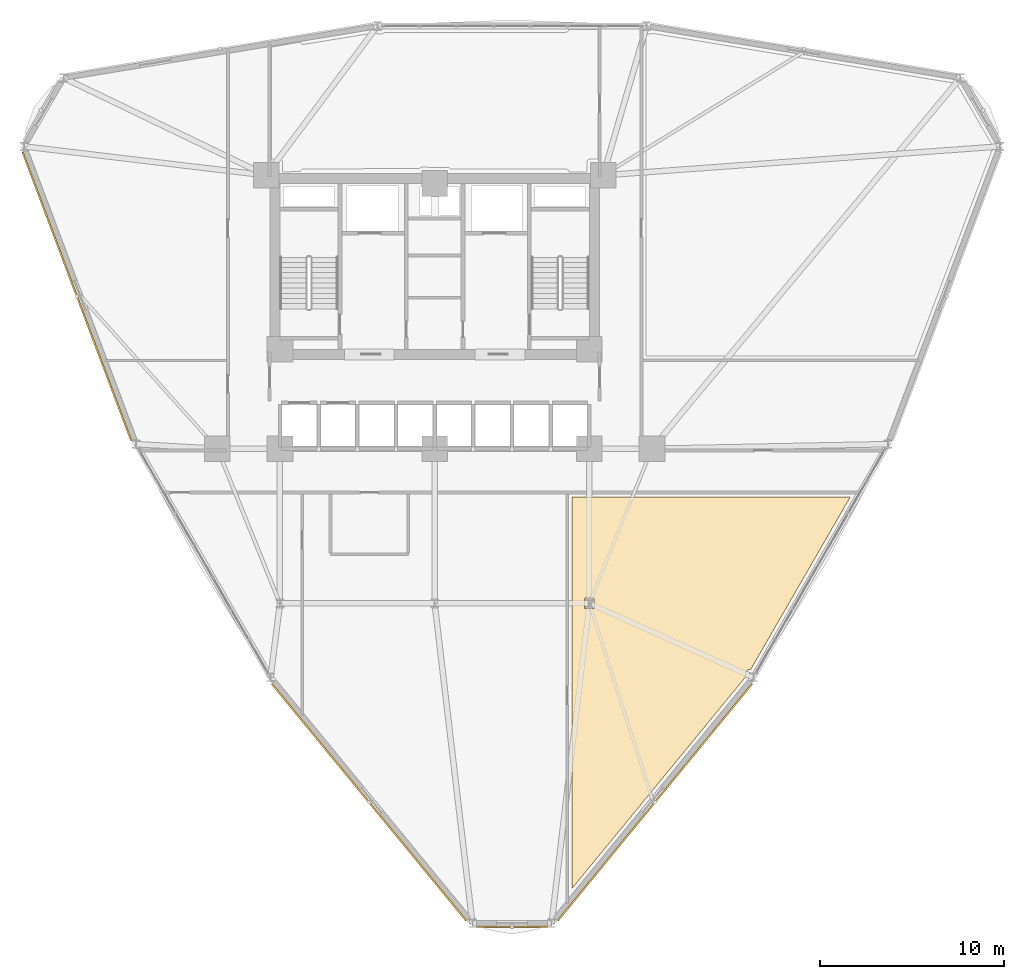
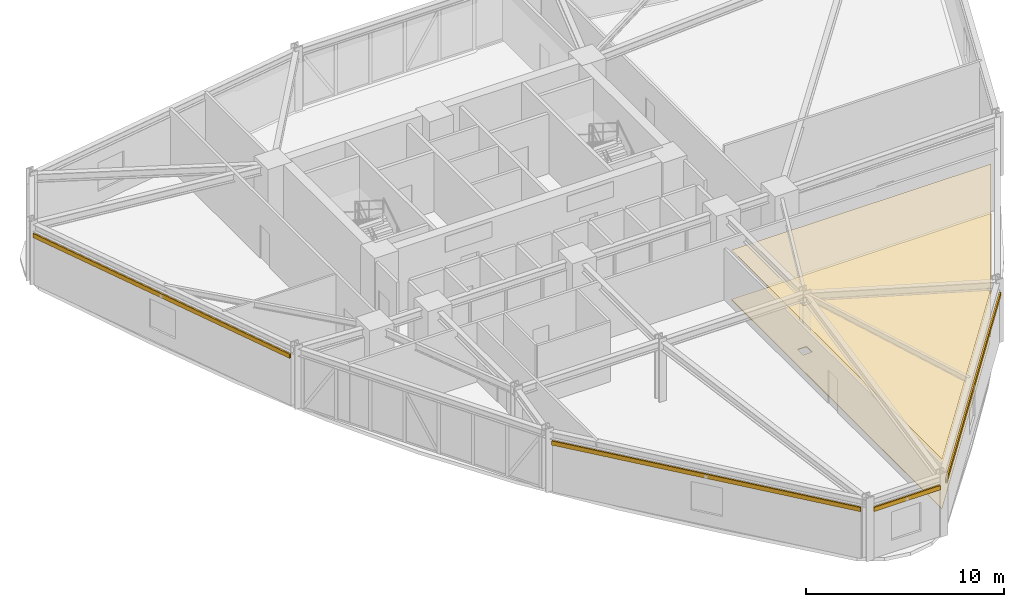
# One storey, part 18 of 20: 4 shading devices, 2 coverings.
"""IFC4 building model written with IfcOpenShell, lengths in metres."""

from ifc_helpers import new_model, si_unit, derived_unit, direction, frame, origin, origin_2d, place, context, subcontext, project, spatial, polyline, hollow_rectangle, outline, extrude, source, transform, mapped, material, layer, layer_set, material_profile, profile_set, type_object, element, save


model = new_model("IFC4")

# Units and contexts
model_context = context("Model", 3, precision=1e-05, world=origin(), true_north=direction((0.0, 1.0)))
body_context = subcontext(model_context, "Body", "Model", "MODEL_VIEW")
ifc_project = project(units=[si_unit("LENGTHUNIT", "METRE"), si_unit("AREAUNIT", "SQUARE_METRE"), si_unit("VOLUMEUNIT", "CUBIC_METRE"), si_unit("PLANEANGLEUNIT", "RADIAN"), si_unit("MASSUNIT", "GRAM", prefix="KILO"), derived_unit("THERMALTRANSMITTANCEUNIT", [(si_unit("POWERUNIT", "WATT"), 1), (si_unit("LENGTHUNIT", "METRE"), -2), (si_unit("THERMODYNAMICTEMPERATUREUNIT", "KELVIN"), -1)])], contexts=[model_context])

# Site, building, storey
site_placement = place(None, origin())
site = spatial("IfcSite", under=ifc_project, at=site_placement, CompositionType="ELEMENT")
building_placement = place(site_placement, origin())
building = spatial("IfcBuilding", under=site, at=building_placement, Name="Korsvarv Bourse and Concert Hall", CompositionType="ELEMENT")
storey_placement = place(building_placement, frame((0.0, 0.0, 87.300048828125)))
storey = spatial("IfcBuildingStorey", under=building, at=storey_placement, Name="L21", CompositionType="ELEMENT", Elevation=87.300048828125)

# Coverings
ifc_material_1 = material(Name="Perforated mineral-wool and birch acoustic baffle ceiling", Category="wood")
ifc_layer_1 = layer(ifc_material_1, 0.02490234375)
ifc_layer_set_1 = layer_set([ifc_layer_1], Name="Perforated mineral-wool and birch acoustic baffle ceiling")
covering_type_1 = type_object("IfcCoveringType", Name="COV-CEIL-1", PredefinedType="CEILING", material=ifc_layer_set_1)
covering_1_placement = place(storey_placement, frame((0.0, 0.0, 3.06005859375)))
element("IfcCovering", 1, at=covering_1_placement, inside=storey, type_object=covering_type_1, Name="L21 acoustic baffle ceiling 2", PredefinedType="CEILING", context=body_context, shape_type="SweptSolid", body=[
    extrude(outline(polyline([(53.097900390625, 20.418212890625), (53.063720703125, 20.4150390625), (53.030517578125, 20.4052734375), (53.0, 20.389404296875), (52.972900390625, 20.367919921875), (52.95068359375, 20.341796875), (52.93359375, 20.31201171875), (52.922607421875, 20.279296875), (52.91796875, 20.2451171875), (52.910400390625, 20.040283203125), (43.449951171875, 8.51220703125), (43.449951171875, 29.77001953125), (58.56298828125, 29.77001953125), (53.163818359375, 20.418212890625), (53.097900390625, 20.418212890625)]), holes=[polyline([(44.173583984375, 23.715087890625), (44.612060546875, 23.712890625), (44.635498046875, 23.718994140625), (44.653564453125, 23.735107421875), (44.661865234375, 23.758056640625), (44.662109375, 24.237060546875), (44.656005859375, 24.260498046875), (44.639892578125, 24.278564453125), (44.616943359375, 24.286865234375), (44.18798828125, 24.287109375), (44.164306640625, 24.281005859375), (44.146484375, 24.264892578125), (44.13818359375, 24.241943359375), (44.137939453125, 23.762939453125), (44.143798828125, 23.739501953125), (44.173583984375, 23.715087890625)])]), origin(), (0.0, 0.0, 1.0), 0.02490234375),
])
ifc_material_2 = material(Name="Calcium-sulphate raised access trading floor with Nordic oak top", Category="wood")
ifc_layer_2 = layer(ifc_material_2, 0.0400390625)
ifc_layer_set_2 = layer_set([ifc_layer_2], Name="Calcium-sulphate raised access trading floor with Nordic oak top")
covering_type_2 = type_object("IfcCoveringType", Name="COV-FLOR-1", PredefinedType="FLOORING", material=ifc_layer_set_2)
covering_2_placement = place(storey_placement, origin())
element("IfcCovering", 2, at=covering_2_placement, inside=storey, type_object=covering_type_2, Name="L21 raised access oak floor finish 2", PredefinedType="FLOORING", context=body_context, shape_type="SweptSolid", body=[
    extrude(outline(polyline([(53.097900390625, 20.418212890625), (53.063720703125, 20.4150390625), (53.030517578125, 20.4052734375), (53.0, 20.389404296875), (52.972900390625, 20.367919921875), (52.95068359375, 20.341796875), (52.93359375, 20.31201171875), (52.922607421875, 20.279296875), (52.91796875, 20.2451171875), (52.910400390625, 20.040283203125), (43.449951171875, 8.51220703125), (43.449951171875, 29.77001953125), (58.56298828125, 29.77001953125), (53.163818359375, 20.418212890625), (53.097900390625, 20.418212890625)]), holes=[polyline([(44.173583984375, 23.715087890625), (44.612060546875, 23.712890625), (44.635498046875, 23.718994140625), (44.653564453125, 23.735107421875), (44.661865234375, 23.758056640625), (44.662109375, 24.237060546875), (44.656005859375, 24.260498046875), (44.639892578125, 24.278564453125), (44.616943359375, 24.286865234375), (44.18798828125, 24.287109375), (44.164306640625, 24.281005859375), (44.146484375, 24.264892578125), (44.13818359375, 24.241943359375), (44.137939453125, 23.762939453125), (44.143798828125, 23.739501953125), (44.173583984375, 23.715087890625)])]), origin(), (0.0, 0.0, 1.0), 0.0400390625),
])

# Shading devices
ifc_material_3 = material(Name="Glazed extruded architectural terracotta", Category="ceramic")
ifc_material_profile = material_profile(ifc_material_3, hollow_rectangle(XDim=0.090087890625, YDim=0.260009765625, WallThickness=0.011962890625, at=origin_2d()), Name="TC-BAG 90x260")
ifc_profile_set = profile_set([ifc_material_profile], Name="Glazed extruded architectural terracotta")
shading_device_type = type_object("IfcShadingDeviceType", Name="SHD-BAG-1", PredefinedType="USERDEFINED", material=ifc_profile_set)
shared_shape_1 = source(origin(), body_context, "Body", "SweptSolid", [
    extrude(hollow_rectangle(XDim=0.090087890625, YDim=0.260009765625, WallThickness=0.011962890625, at=origin_2d()), origin(), (0.0, 0.0, 1.0), 16.7587890625),
])
shading_device_1_placement = place(storey_placement, frame((13.622314453125, 48.515869140625, 3.070068359375), z_axis=(0.352279020809, -0.935895021622, 0.0), x_axis=(0.935895021622, 0.352279020809, 0.0)))
element("IfcShadingDevice", 3, at=shading_device_1_placement, inside=storey, type_object=shading_device_type, Name="L21 terracotta baguette sunshade EW-L21-B06", ObjectType="BAGUETTE", PredefinedType="USERDEFINED", context=body_context, shape_type="MappedRepresentation", body=[
    mapped(shared_shape_1, transform((0.0, 0.0, 0.0), scale=1.0)),
])
shared_shape_2 = source(origin(), body_context, "Body", "SweptSolid", [
    extrude(hollow_rectangle(XDim=0.090087890625, YDim=0.260009765625, WallThickness=0.011962890625, at=origin_2d()), origin(), (0.0, 0.0, 1.0), 16.64990234375),
])
for number, where, z_axis, x_axis, name in (
    (4, (27.1533203125, 19.63818359375, 3.070068359375), (0.634372560511, -0.77302746036, 0.0), (0.77302746036, 0.634372560511, 0.0), "L21 terracotta baguette sunshade EW-L21-B08"),
    (5, (42.684326171875, 6.767333984375, 3.070068359375), (0.634372560511, 0.77302746036, 0.0), (-0.77302746036, 0.634372560511, 0.0), "L21 terracotta baguette sunshade EW-L21-B10"),
):
    element("IfcShadingDevice", number, at=place(storey_placement, frame(where, z_axis=z_axis, x_axis=x_axis)), inside=storey, type_object=shading_device_type, Name=name, ObjectType="BAGUETTE", PredefinedType="USERDEFINED", context=body_context, shape_type="MappedRepresentation", body=[
        mapped(shared_shape_2, transform((0.0, 0.0, 0.0), scale=1.0)),
    ])
shared_shape_3 = source(origin(), body_context, "Body", "SweptSolid", [
    extrude(hollow_rectangle(XDim=0.090087890625, YDim=0.260009765625, WallThickness=0.011962890625, at=origin_2d()), origin(), (0.0, 0.0, 1.0), 3.866943359375),
])
shading_device_2_placement = place(storey_placement, frame((38.2666015625, 6.451416015625, 3.070068359375), z_axis=(1.0, 0.0, 0.0), x_axis=(0.0, 1.0, 0.0)))
element("IfcShadingDevice", 6, at=shading_device_2_placement, inside=storey, type_object=shading_device_type, Name="L21 terracotta baguette sunshade EW-L21-B09", ObjectType="BAGUETTE", PredefinedType="USERDEFINED", context=body_context, shape_type="MappedRepresentation", body=[
    mapped(shared_shape_3, transform((0.0, 0.0, 0.0), scale=1.0)),
])

save(model, "model.ifc")
